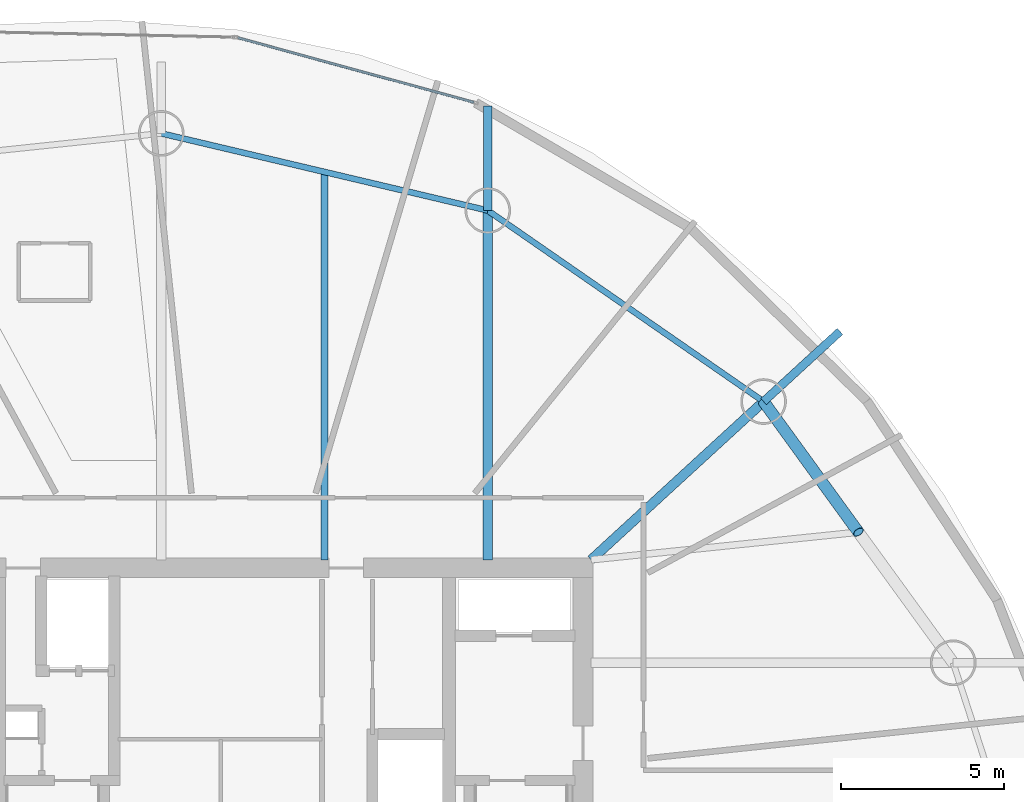
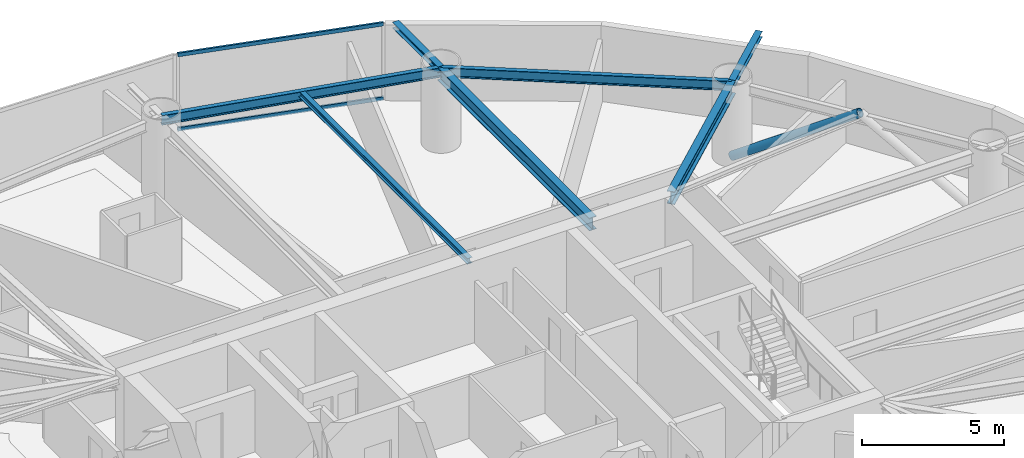
# One storey, part 17 of 26: 7 beams, 3 members, 1 element without a shape of its own.
"""IFC4 building model written with IfcOpenShell, lengths in metres."""

from ifc_helpers import new_model, si_unit, direction, frame, origin, origin_2d, place, context, subcontext, project, spatial, hollow_rectangle, hollow_circle, i_section, extrude, material, layer, layer_set, material_profile, profile_set, type_object, element, aggregate, save


model = new_model("IFC4")

# Units and contexts
model_context = context("Model", 3, precision=1e-05, world=origin(), true_north=direction((0.0, 1.0)))
body_context = subcontext(model_context, "Body", "Model", "MODEL_VIEW")
ifc_project = project(units=[si_unit("LENGTHUNIT", "METRE"), si_unit("AREAUNIT", "SQUARE_METRE"), si_unit("VOLUMEUNIT", "CUBIC_METRE"), si_unit("PLANEANGLEUNIT", "RADIAN"), si_unit("MASSUNIT", "GRAM", prefix="KILO")], contexts=[model_context])

# Site, building, storey
site_placement = place(None, origin())
site = spatial("IfcSite", under=ifc_project, at=site_placement, CompositionType="ELEMENT")
building_placement = place(site_placement, origin())
building = spatial("IfcBuilding", under=site, at=building_placement, Name="Bramvorn Convention Spire", CompositionType="ELEMENT")
storey_placement = place(building_placement, frame((0.0, 0.0, 123.800048828125)))
storey = spatial("IfcBuildingStorey", under=building, at=storey_placement, Name="L30", CompositionType="ELEMENT", Elevation=123.800048828125)

# Beams
ifc_material_1 = material(Name="Steel CSA G40.21 Grade 350 (350W)", Category="steel")
ifc_material_profile_1 = material_profile(ifc_material_1, i_section(OverallWidth=0.201904296875, OverallDepth=0.2470703125, WebThickness=0.00732421875, FlangeThickness=0.010986328125, FilletRadius=0.011962890625, at=origin_2d()))
ifc_profile_set_1 = profile_set([ifc_material_profile_1], Name="Steel CSA G40.21 Grade 350 (350W) - W250X49")
beam_type_1 = type_object("IfcBeamType", Name="BM-W250X49", PredefinedType="JOIST", material=ifc_profile_set_1)
beam_1_placement = place(storey_placement, frame((41.079345703125, 33.449951171875, 3.136474609375), z_axis=(0.0, 1.0, 0.0), x_axis=(-1.0, 0.0, 0.0)))
element("IfcBeam", 1, at=beam_1_placement, inside=storey, type_object=beam_type_1, Name="L30 composite floor joist 05", PredefinedType="JOIST", context=body_context, shape_type="SweptSolid", body=[
    extrude(i_section(OverallWidth=0.201904296875, OverallDepth=0.2470703125, WebThickness=0.00732421875, FlangeThickness=0.010986328125, FilletRadius=0.011962890625, at=origin_2d()), origin(), (0.0, 0.0, 1.0), 11.8857421875),
])
ifc_material_profile_2 = material_profile(ifc_material_1, i_section(OverallWidth=0.25390625, OverallDepth=0.2529296875, WebThickness=0.008544921875, FlangeThickness=0.01416015625, FilletRadius=0.011962890625, at=origin_2d()))
ifc_profile_set_2 = profile_set([ifc_material_profile_2], Name="Steel CSA G40.21 Grade 350 (350W) - W250X73")
beam_type_2 = type_object("IfcBeamType", Name="BM-W250X73", PredefinedType="BEAM", material=ifc_profile_set_2)
beam_2_placement = place(storey_placement, frame((54.534912109375, 38.299072265625, 3.133544921875), z_axis=(0.73679692606, 0.676114110006, 0.0), x_axis=(-0.676114110006, 0.73679692606, 0.0)))
element("IfcBeam", 2, at=beam_2_placement, inside=storey, type_object=beam_type_2, Name="L30 slab-edge cantilever tip beam MC04", PredefinedType="BEAM", context=body_context, shape_type="SweptSolid", body=[
    extrude(i_section(OverallWidth=0.25390625, OverallDepth=0.2529296875, WebThickness=0.008544921875, FlangeThickness=0.01416015625, FilletRadius=0.011962890625, at=origin_2d()), origin(), (0.0, 0.0, 1.0), 3.178466796875),
])
beam_3_placement = place(storey_placement, frame((46.082763671875, 44.154052734375, 3.133544921875), z_axis=(0.0, 1.0, 0.0), x_axis=(-1.0, 0.0, 0.0)))
element("IfcBeam", 3, at=beam_3_placement, inside=storey, type_object=beam_type_2, Name="L30 slab-edge cantilever tip beam MC05", PredefinedType="BEAM", context=body_context, shape_type="SweptSolid", body=[
    extrude(i_section(OverallWidth=0.25390625, OverallDepth=0.2529296875, WebThickness=0.008544921875, FlangeThickness=0.01416015625, FilletRadius=0.011962890625, at=origin_2d()), origin(), (0.0, 0.0, 1.0), 3.199951171875),
])
ifc_material_profile_3 = material_profile(ifc_material_1, i_section(OverallWidth=0.180908203125, OverallDepth=0.4169921875, WebThickness=0.010986328125, FlangeThickness=0.018310546875, FilletRadius=0.01611328125, at=origin_2d()))
ifc_profile_set_3 = profile_set([ifc_material_profile_3], Name="Steel CSA G40.21 Grade 350 (350W) - W410X85")
beam_type_3 = type_object("IfcBeamType", Name="BM-W410X85", PredefinedType="JOIST", material=ifc_profile_set_3)
beam_4_placement = place(storey_placement, frame((54.534912109375, 38.299072265625, 3.051513671875), z_axis=(-0.822033166673, 0.569439613032, 0.0), x_axis=(-0.569439613032, -0.822033166673, 0.0)))
element("IfcBeam", 4, at=beam_4_placement, inside=storey, type_object=beam_type_3, Name="L30 mega-column ring beam 04", PredefinedType="JOIST", context=body_context, shape_type="SweptSolid", body=[
    extrude(i_section(OverallWidth=0.180908203125, OverallDepth=0.4169921875, WebThickness=0.010986328125, FlangeThickness=0.018310546875, FilletRadius=0.01611328125, at=origin_2d()), origin(), (0.0, 0.0, 1.0), 10.281982421875),
])
beam_5_placement = place(storey_placement, frame((46.082763671875, 44.154052734375, 3.051513671875), z_axis=(-0.97322750491, 0.229843911572, 0.0), x_axis=(-0.229843911572, -0.97322750491, 0.0)))
element("IfcBeam", 5, at=beam_5_placement, inside=storey, type_object=beam_type_3, Name="L30 mega-column ring beam 05", PredefinedType="JOIST", context=body_context, shape_type="SweptSolid", body=[
    extrude(i_section(OverallWidth=0.180908203125, OverallDepth=0.4169921875, WebThickness=0.010986328125, FlangeThickness=0.018310546875, FilletRadius=0.01611328125, at=origin_2d()), origin(), (0.0, 0.0, 1.0), 10.2822265625),
])
ifc_material_profile_4 = material_profile(ifc_material_1, i_section(OverallWidth=0.2919921875, OverallDepth=0.551025390625, WebThickness=0.01513671875, FlangeThickness=0.0244140625, FilletRadius=0.01904296875, at=origin_2d()))
ifc_profile_set_4 = profile_set([ifc_material_profile_4], Name="Steel CSA G40.21 Grade 350 (350W) - W530X182")
beam_type_4 = type_object("IfcBeamType", Name="BM-W530X182", PredefinedType="BEAM", material=ifc_profile_set_4)
beam_6_placement = place(storey_placement, frame((49.25, 33.449951171875, 2.984375), z_axis=(0.736833323746, 0.676074443399, 0.0), x_axis=(-0.676074443399, 0.736833323746, 0.0)))
element("IfcBeam", 6, at=beam_6_placement, inside=storey, type_object=beam_type_4, Name="L30 radial floor girder MC04", PredefinedType="BEAM", context=body_context, shape_type="SweptSolid", body=[
    extrude(i_section(OverallWidth=0.2919921875, OverallDepth=0.551025390625, WebThickness=0.01513671875, FlangeThickness=0.0244140625, FilletRadius=0.01904296875, at=origin_2d()), origin(), (0.0, 0.0, 1.0), 7.17236328125),
])
beam_7_placement = place(storey_placement, frame((46.082763671875, 33.449951171875, 2.984375), z_axis=(0.0, 1.0, 0.0), x_axis=(-1.0, 0.0, 0.0)))
element("IfcBeam", 7, at=beam_7_placement, inside=storey, type_object=beam_type_4, Name="L30 radial floor girder MC05", PredefinedType="BEAM", context=body_context, shape_type="SweptSolid", body=[
    extrude(i_section(OverallWidth=0.2919921875, OverallDepth=0.551025390625, WebThickness=0.01513671875, FlangeThickness=0.0244140625, FilletRadius=0.01904296875, at=origin_2d()), origin(), (0.0, 0.0, 1.0), 10.7041015625),
])

# Curtain wall, members
ifc_material_2 = material(Name="Anodised Bronze Unitised Curtain Wall", Category="aluminium")
ifc_layer = layer(ifc_material_2, 0.179931640625)
ifc_layer_set = layer_set([ifc_layer], Name="Anodised Bronze Unitised Curtain Wall - CW-HTL-FRIT")
curtain_wall_type = type_object("IfcCurtainWallType", Name="CW-HTL-FRIT", PredefinedType="USERDEFINED", material=ifc_layer_set)
curtain_wall_placement = place(storey_placement, origin())
curtain_wall = element("IfcCurtainWall", 8, at=curtain_wall_placement, inside=storey, type_object=curtain_wall_type, Name="L30 fritted glass curtain wall 07", ObjectType="UNITISED CURTAIN WALL", PredefinedType="USERDEFINED")
ifc_material_3 = material(Name="Anodised Bronze Aluminium 6063-T6", Category="aluminium")
ifc_material_profile_5 = material_profile(ifc_material_3, hollow_rectangle(XDim=0.080078125, YDim=0.159912109375, WallThickness=0.00390625, InnerFilletRadius=0.0009765625, OuterFilletRadius=0.00390625, at=origin_2d()))
ifc_profile_set_5 = profile_set([ifc_material_profile_5], Name="Anodised Bronze Aluminium 6063-T6 - CWT80X160")
member_type_1 = type_object("IfcMemberType", Name="CW-TRN-150", PredefinedType="USERDEFINED", material=ifc_profile_set_5)
member_1_placement = place(storey_placement, frame((38.426513671875, 49.447021484375, 0.030029296875), z_axis=(0.964544062279, -0.26392186708, 0.0), x_axis=(0.26392186708, 0.964544062279, 0.0)))
member_1 = element("IfcMember", 9, at=member_1_placement, type_object=member_type_1, Name="CW2 transom 1.1", ObjectType="TRANSOM", PredefinedType="USERDEFINED", context=body_context, shape_type="SweptSolid", body=[
    extrude(hollow_rectangle(XDim=0.080078125, YDim=0.159912109375, WallThickness=0.00390625, InnerFilletRadius=0.0009765625, OuterFilletRadius=0.00390625, at=origin_2d()), origin(), (0.0, 0.0, 1.0), 7.49755859375),
])
member_2_placement = place(storey_placement, frame((38.426513671875, 49.447021484375, 3.22998046875), z_axis=(0.964544062279, -0.26392186708, 0.0), x_axis=(0.26392186708, 0.964544062279, 0.0)))
member_2 = element("IfcMember", 10, at=member_2_placement, type_object=member_type_1, Name="CW2 transom 1.2", ObjectType="TRANSOM", PredefinedType="USERDEFINED", context=body_context, shape_type="SweptSolid", body=[
    extrude(hollow_rectangle(XDim=0.080078125, YDim=0.159912109375, WallThickness=0.00390625, InnerFilletRadius=0.0009765625, OuterFilletRadius=0.00390625, at=origin_2d()), origin(), (0.0, 0.0, 1.0), 7.49755859375),
])
aggregate(curtain_wall, [member_1, member_2])

# Member
ifc_material_profile_6 = material_profile(ifc_material_1, hollow_circle(Radius=0.177734375, WallThickness=0.015869140625, at=origin_2d()))
ifc_profile_set_6 = profile_set([ifc_material_profile_6], Name="Steel CSA G40.21 Grade 350 (350W) - CHS356X16")
member_type_2 = type_object("IfcMemberType", Name="MBR-CHS356X16", PredefinedType="BRACE", material=ifc_profile_set_6)
member_3_placement = place(storey_placement, frame((54.534912109375, 38.299072265625, 0.0), z_axis=(0.490438622602, -0.67573375262, 0.550321590555), x_axis=(0.809307745024, 0.587384860074, 0.0)))
element("IfcMember", 11, at=member_3_placement, inside=storey, type_object=member_type_2, Name="L30 perimeter Gothic lancet brace 3B", PredefinedType="BRACE", context=body_context, shape_type="SweptSolid", body=[
    extrude(hollow_circle(Radius=0.177734375, WallThickness=0.015869140625, at=origin_2d()), origin(), (0.0, 0.0, 1.0), 5.923828125),
])

save(model, "model.ifc")
